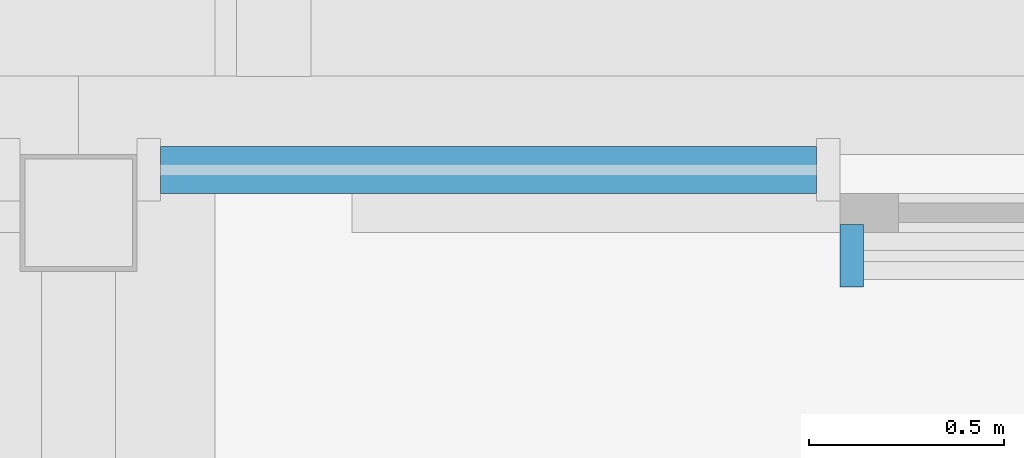
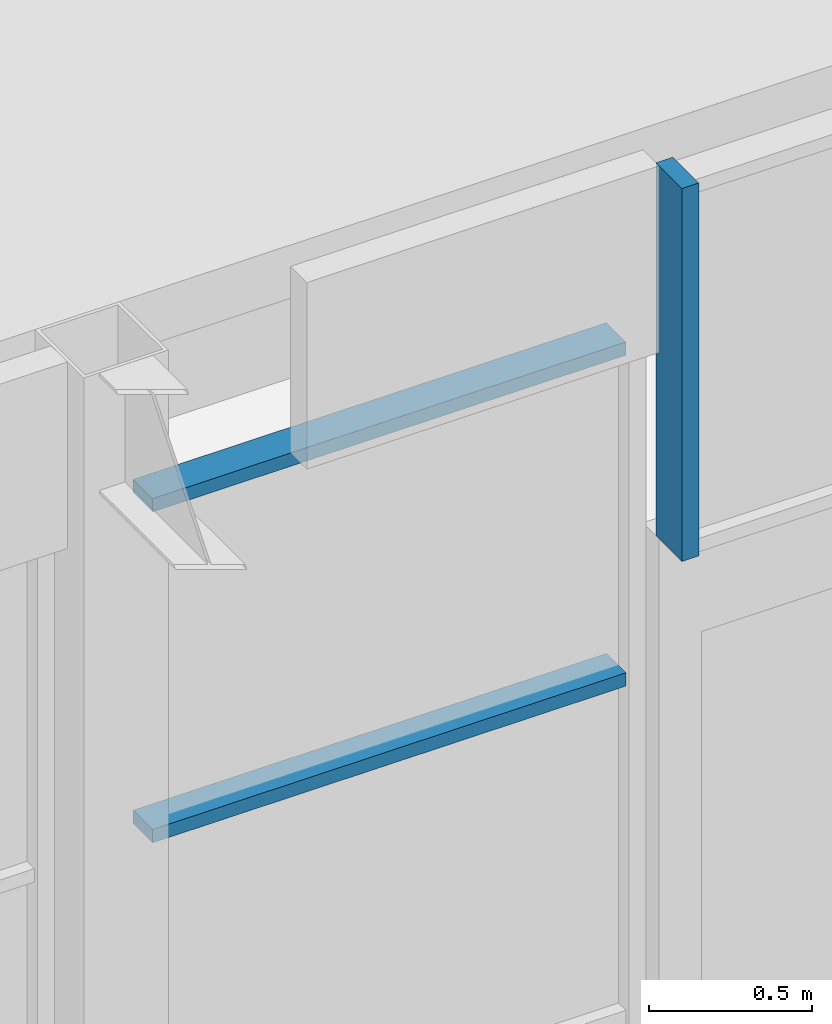
# One storey, part 59 of 168: 3 members, 2 elements without a shape of their own.
"""IFC4 building model written with IfcOpenShell, lengths in metres."""

from ifc_helpers import new_model, si_unit, direction, frame, origin, origin_2d, place, context, subcontext, project, spatial, rectangle, extrude, material, material_profile, profile_set, type_object, element, aggregate, save


model = new_model("IFC4")

# Units and contexts
model_context = context("Model", 3, precision=1e-05, world=origin(), true_north=direction((0.0, 1.0)))
body_context = subcontext(model_context, "Body", "Model", "MODEL_VIEW")
ifc_project = project(units=[si_unit("LENGTHUNIT", "METRE"), si_unit("AREAUNIT", "SQUARE_METRE"), si_unit("VOLUMEUNIT", "CUBIC_METRE"), si_unit("PLANEANGLEUNIT", "RADIAN"), si_unit("MASSUNIT", "GRAM", prefix="KILO")], contexts=[model_context])

# Site, building, storey
site_placement = place(None, origin())
site = spatial("IfcSite", under=ifc_project, at=site_placement, CompositionType="ELEMENT")
building_placement = place(site_placement, origin())
building = spatial("IfcBuilding", under=site, at=building_placement, Name="Silverbay Arena", CompositionType="ELEMENT")
storey_placement = place(building_placement, frame((0.0, 0.0, 7.0)))
storey = spatial("IfcBuildingStorey", under=building, at=storey_placement, Name="L01", CompositionType="ELEMENT", Elevation=7.0)

# Curtain wall, member
ifc_material_1 = material(Name="Aluminium framed curtain wall", Category="aluminium")
curtain_wall_type_1 = type_object("IfcCurtainWallType", Name="Curtain wall 5100 x 1400", PredefinedType="NOTDEFINED", material=ifc_material_1)
curtain_wall_1_placement = place(storey_placement, origin())
curtain_wall_1 = element("IfcCurtainWall", 1, at=curtain_wall_1_placement, inside=storey, type_object=curtain_wall_type_1, Name="North entrance hall N1 glazing over the door", PredefinedType="NOTDEFINED")
ifc_material_2 = material(Name="Aluminium", Category="aluminium")
ifc_material_profile_1 = material_profile(ifc_material_2, rectangle(XDim=0.159912109375, YDim=0.06005859375, at=origin_2d()), Name="Mullion 60 x 160")
ifc_profile_set_1 = profile_set([ifc_material_profile_1], Name="Aluminium")
member_type_1 = type_object("IfcMemberType", Name="Mullion 60 x 160", PredefinedType="MULLION", material=ifc_profile_set_1)
member_1_placement = place(storey_placement, frame((127.97998046875, 154.18994140625, 3.10009765625), z_axis=(0.0, 0.0, 1.0), x_axis=(0.0, -1.0, 0.0)))
member_1 = element("IfcMember", 2, at=member_1_placement, type_object=member_type_1, Name="CW39 mullion 4", PredefinedType="MULLION", context=body_context, shape_type="SweptSolid", body=[
    extrude(rectangle(XDim=0.159912109375, YDim=0.06005859375, at=origin_2d()), origin(), (0.0, 0.0, 1.0), 1.39990234375),
])
aggregate(curtain_wall_1, [member_1])

# Curtain wall, members
ifc_material_3 = material(Name="Aluminium framed curtain wall", Category="aluminium")
curtain_wall_type_2 = type_object("IfcCurtainWallType", Name="Curtain wall 1800 x 3800", PredefinedType="NOTDEFINED", material=ifc_material_3)
curtain_wall_2_placement = place(storey_placement, origin())
curtain_wall_2 = element("IfcCurtainWall", 3, at=curtain_wall_2_placement, inside=storey, type_object=curtain_wall_type_2, Name="North entrance hall N1 glazing F1a", PredefinedType="NOTDEFINED")
ifc_material_4 = material(Name="Aluminium", Category="aluminium")
ifc_material_profile_2 = material_profile(ifc_material_4, rectangle(XDim=0.1201171875, YDim=0.050048828125, at=origin_2d()), Name="Transom 50 x 120")
ifc_profile_set_2 = profile_set([ifc_material_profile_2], Name="Aluminium")
member_type_2 = type_object("IfcMemberType", Name="Transom 50 x 120", PredefinedType="USERDEFINED", material=ifc_profile_set_2)
member_2_placement = place(storey_placement, frame((126.2099609375, 154.409912109375, 2.533447265625), z_axis=(1.0, 0.0, 0.0), x_axis=(0.0, 1.0, 0.0)))
member_2 = element("IfcMember", 4, at=member_2_placement, type_object=member_type_2, Name="CW44 transom 1.3", ObjectType="TRANSOM", PredefinedType="USERDEFINED", context=body_context, shape_type="SweptSolid", body=[
    extrude(rectangle(XDim=0.1201171875, YDim=0.050048828125, at=origin_2d()), origin(), (0.0, 0.0, 1.0), 1.679931640625),
])
member_3_placement = place(storey_placement, frame((126.2099609375, 154.409912109375, 3.77490234375), z_axis=(1.0, 0.0, 0.0), x_axis=(0.0, 1.0, 0.0)))
member_3 = element("IfcMember", 5, at=member_3_placement, type_object=member_type_2, Name="CW44 transom 1.4", ObjectType="TRANSOM", PredefinedType="USERDEFINED", context=body_context, shape_type="SweptSolid", body=[
    extrude(rectangle(XDim=0.1201171875, YDim=0.050048828125, at=origin_2d()), origin(), (0.0, 0.0, 1.0), 1.679931640625),
])
aggregate(curtain_wall_2, [member_2, member_3])

save(model, "model.ifc")
